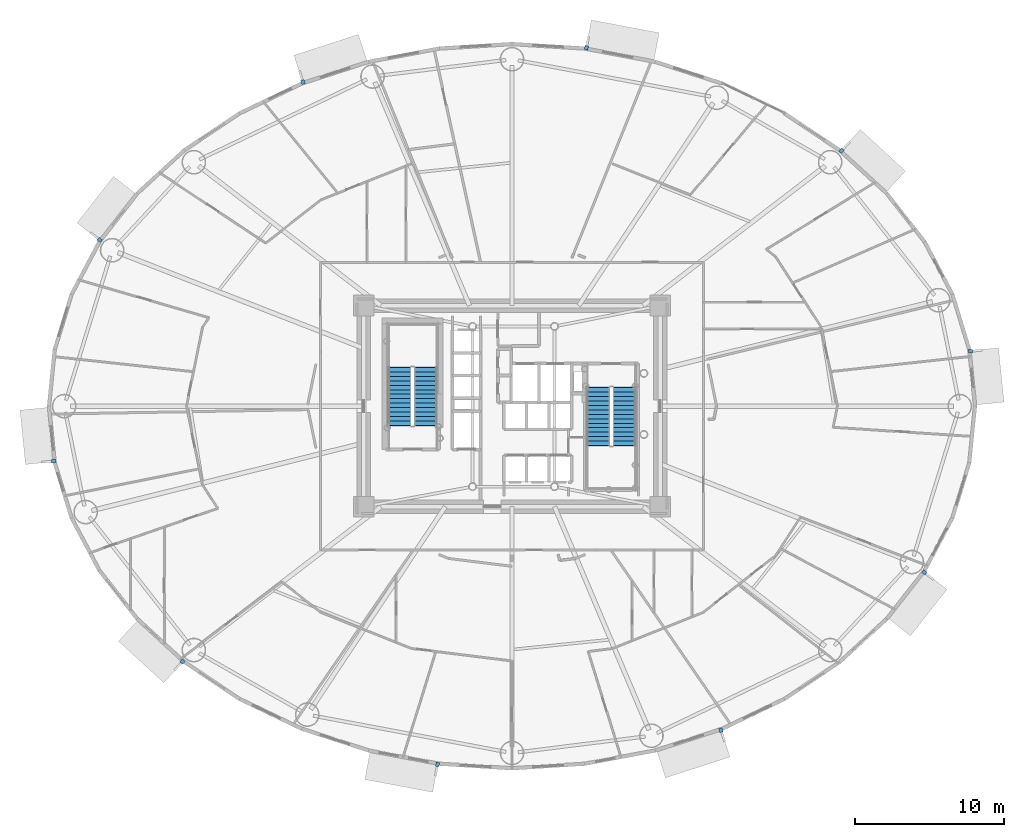
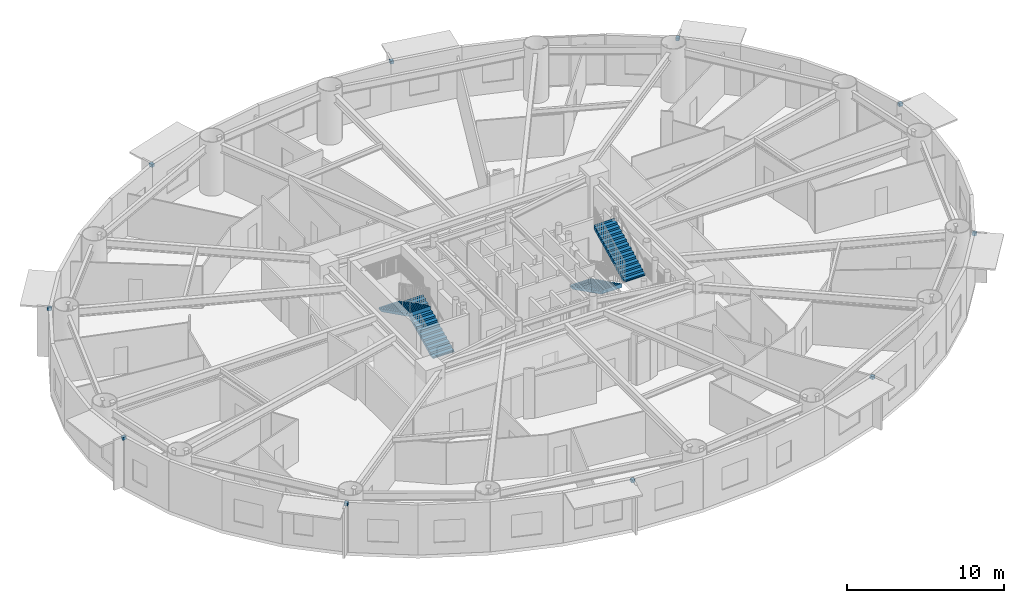
# One storey, part 14 of 21: 10 discrete accessories, 4 stair flights, 2 elements without a shape of their own.
"""IFC4 building model written with IfcOpenShell, lengths in metres."""

from ifc_helpers import new_model, si_unit, direction, frame, origin, origin_2d, place, context, subcontext, project, spatial, polyline, rectangle, outline, extrude, source, transform, mapped, material, type_object, element, aggregate, save


model = new_model("IFC4")

# Units and contexts
model_context = context("Model", 3, precision=1e-05, world=origin(), true_north=direction((0.0, 1.0)))
body_context = subcontext(model_context, "Body", "Model", "MODEL_VIEW")
ifc_project = project(units=[si_unit("LENGTHUNIT", "METRE"), si_unit("AREAUNIT", "SQUARE_METRE"), si_unit("VOLUMEUNIT", "CUBIC_METRE"), si_unit("PLANEANGLEUNIT", "RADIAN"), si_unit("MASSUNIT", "GRAM", prefix="KILO")], contexts=[model_context])

# Site, building, storey
site_placement = place(None, origin())
site = spatial("IfcSite", under=ifc_project, at=site_placement, CompositionType="ELEMENT")
building_placement = place(site_placement, origin())
building = spatial("IfcBuilding", under=site, at=building_placement, Name="Linh Dai School and Residence Tower", CompositionType="ELEMENT")
storey_placement = place(building_placement, frame((0.0, 0.0, 82.800048828125)))
storey = spatial("IfcBuildingStorey", under=building, at=storey_placement, Name="L19", CompositionType="ELEMENT", Elevation=82.800048828125)

# Stair, stair flights
ifc_material_1 = material(Name="Concrete B45 (C35/45)", Category="concrete")
stair_type = type_object("IfcStairType", Name="ST-DOG-1550-R1500", PredefinedType="HALF_TURN_STAIR", material=ifc_material_1)
stair_1_placement = place(storey_placement, origin())
stair_1 = element("IfcStair", 1, at=stair_1_placement, inside=storey, type_object=stair_type, Name="L19 Core Smokeproof Exit Stair ST1", PredefinedType="HALF_TURN_STAIR")
stair_flight_type = type_object("IfcStairFlightType", Name="STF-STR-1550-R1500", PredefinedType="STRAIGHT", material=ifc_material_1)
shared_shape_1 = source(origin(), body_context, "Body", "SweptSolid", [
    extrude(outline(polyline([(-0.02490234375, 0.0), (-0.02490234375, 0.06005859375), (0.0, 0.06005859375), (0.0, 0.14990234375), (0.300048828125, 0.14990234375), (0.300048828125, 0.300048828125), (0.60009765625, 0.300048828125), (0.60009765625, 0.449951171875), (0.89990234375, 0.449951171875), (0.89990234375, 0.60009765625), (1.199951171875, 0.60009765625), (1.199951171875, 0.75), (1.5, 0.75), (1.5, 0.89990234375), (1.800048828125, 0.89990234375), (1.800048828125, 1.050048828125), (2.10009765625, 1.050048828125), (2.10009765625, 1.199951171875), (2.39990234375, 1.199951171875), (2.39990234375, 1.35009765625), (2.699951171875, 1.35009765625), (2.699951171875, 1.5), (3.0, 1.5), (3.0, 1.64990234375), (3.300048828125, 1.64990234375), (3.300048828125, 1.800048828125), (3.60009765625, 1.800048828125), (3.60009765625, 1.949951171875), (3.89990234375, 1.949951171875), (3.89990234375, 2.10009765625), (3.925048828125, 2.10009765625), (3.925048828125, 1.782470703125), (3.89990234375, 1.782470703125), (0.335205078125, 0.0), (-0.02490234375, 0.0)])), frame((0.0, 0.77490234375, 0.0), z_axis=(0.0, -1.0, 0.0), x_axis=(1.0, 0.0, 0.0)), (0.0, 0.0, 1.0), 1.550048828125),
])
stair_flight_1_placement = place(storey_placement, frame((30.205078125, 25.699951171875, 0.0), z_axis=(0.0, 0.0, 1.0), x_axis=(0.0, 1.0, 0.0)))
stair_flight_1 = element("IfcStairFlight", 2, at=stair_flight_1_placement, type_object=stair_flight_type, Name="ST1 flight 1", NumberOfRisers=14, NumberOfTreads=13, PredefinedType="STRAIGHT", RiserHeight=0.15, TreadLength=0.3, context=body_context, shape_type="MappedRepresentation", body=[
    mapped(shared_shape_1, transform((0.0, 0.0, 0.0), x_axis=(1.0, 0.0, 0.0), y_axis=(0.0, 1.0, 0.0), z_axis=(0.0, 0.0, 1.0), scale=1.0)),
])
stair_flight_2_placement = place(storey_placement, frame((28.455078125, 29.60009765625, 2.099853515625), z_axis=(0.0, 0.0, 1.0), x_axis=(0.0, -1.0, 0.0)))
stair_flight_2 = element("IfcStairFlight", 3, at=stair_flight_2_placement, type_object=stair_flight_type, Name="ST1 flight 2", NumberOfRisers=14, NumberOfTreads=13, PredefinedType="STRAIGHT", RiserHeight=0.15, TreadLength=0.3, context=body_context, shape_type="MappedRepresentation", body=[
    mapped(shared_shape_1, transform((0.0, 0.0, 0.0), x_axis=(1.0, 0.0, 0.0), y_axis=(0.0, 1.0, 0.0), z_axis=(0.0, 0.0, 1.0), scale=1.0)),
])
aggregate(stair_1, [stair_flight_1, stair_flight_2])

stair_2_placement = place(storey_placement, origin())
stair_2 = element("IfcStair", 4, at=stair_2_placement, inside=storey, type_object=stair_type, Name="L19 Core Smokeproof Exit Stair ST2", PredefinedType="HALF_TURN_STAIR")
stair_flight_3_placement = place(storey_placement, frame((41.794921875, 28.25, 0.0), z_axis=(0.0, 0.0, 1.0), x_axis=(0.0, -1.0, 0.0)))
stair_flight_3 = element("IfcStairFlight", 5, at=stair_flight_3_placement, type_object=stair_flight_type, Name="ST2 flight 1", NumberOfRisers=14, NumberOfTreads=13, PredefinedType="STRAIGHT", RiserHeight=0.15, TreadLength=0.3, context=body_context, shape_type="MappedRepresentation", body=[
    mapped(shared_shape_1, transform((0.0, 0.0, 0.0), x_axis=(1.0, 0.0, 0.0), y_axis=(0.0, 1.0, 0.0), z_axis=(0.0, 0.0, 1.0), scale=1.0)),
])
stair_flight_4_placement = place(storey_placement, frame((43.544921875, 24.35009765625, 2.099853515625), z_axis=(0.0, 0.0, 1.0), x_axis=(0.0, 1.0, 0.0)))
stair_flight_4 = element("IfcStairFlight", 6, at=stair_flight_4_placement, type_object=stair_flight_type, Name="ST2 flight 2", NumberOfRisers=14, NumberOfTreads=13, PredefinedType="STRAIGHT", RiserHeight=0.15, TreadLength=0.3, context=body_context, shape_type="MappedRepresentation", body=[
    mapped(shared_shape_1, transform((0.0, 0.0, 0.0), x_axis=(1.0, 0.0, 0.0), y_axis=(0.0, 1.0, 0.0), z_axis=(0.0, 0.0, 1.0), scale=1.0)),
])
aggregate(stair_2, [stair_flight_3, stair_flight_4])

# Discrete accessories
ifc_material_2 = material(Name="Structural Steel S355JR", Category="steel")
discrete_accessory_type = type_object("IfcDiscreteAccessoryType", Name="ACC-BRK-S355", PredefinedType="BRACKET", material=ifc_material_2)
shared_shape_2 = source(origin(), body_context, "Body", "SweptSolid", [
    extrude(rectangle(XDim=0.280029296875, YDim=0.239990234375, at=origin_2d()), origin(), (0.0, 0.0, 1.0), 0.219970703125),
])
for number, where, z_axis, x_axis, name in (
    (7, (66.76513671875, 30.68359375, 3.64990234375), (0.0, 0.0, 1.0), (0.994986493533, 0.100009387998, 0.0), "L19 Facade Frame Anchor Bracket 01"),
    (8, (58.11376953125, 44.139404296875, 3.64990234375), (0.0, 0.0, 1.0), (0.675769237268, 0.737113246362, 0.0), "L19 Facade Frame Anchor Bracket 05"),
    (9, (40.994384765625, 51.0419921875, 3.64990234375), (0.0, 0.0, 1.0), (0.184747948944, 0.982785935675, 0.0), "L19 Facade Frame Anchor Bracket 09"),
    (10, (21.9775390625, 48.745361328125, 3.64990234375), (0.0, 0.0, 1.0), (-0.308510993844, 0.951220777043, 0.0), "L19 Facade Frame Anchor Bracket 13"),
    (11, (8.33203125, 38.154296875, 3.64990234375), (0.0, 0.0, 1.0), (-0.787496262172, 0.616319427785, 0.0), "L19 Facade Frame Anchor Bracket 17"),
    (12, (5.23486328125, 23.31640625, 3.64990234375), (0.0, 0.0, 1.0), (-0.994986493533, -0.100009387998, 0.0), "L19 Facade Frame Anchor Bracket 21"),
    (13, (13.88623046875, 9.860595703125, 3.64990234375), (0.0, 0.0, 1.0), (-0.675769237268, -0.737113246362, 0.0), "L19 Facade Frame Anchor Bracket 25"),
    (14, (31.005615234375, 2.9580078125, 3.64990234375), (0.0, 0.0, 1.0), (-0.184747948944, -0.982785935675, 0.0), "L19 Facade Frame Anchor Bracket 29"),
    (15, (50.0224609375, 5.254638671875, 3.64990234375), (0.0, 0.0, 1.0), (0.308510993844, -0.951220777043, 0.0), "L19 Facade Frame Anchor Bracket 33"),
    (16, (63.66796875, 15.845703125, 3.64990234375), (0.0, 0.0, 1.0), (0.787496262172, -0.616319427785, 0.0), "L19 Facade Frame Anchor Bracket 37"),
):
    element("IfcDiscreteAccessory", number, at=place(storey_placement, frame(where, z_axis=z_axis, x_axis=x_axis)), inside=storey, type_object=discrete_accessory_type, Name=name, PredefinedType="BRACKET", context=body_context, shape_type="MappedRepresentation", body=[
        mapped(shared_shape_2, transform((0.0, 0.0, 0.0), x_axis=(1.0, 0.0, 0.0), y_axis=(0.0, 1.0, 0.0), z_axis=(0.0, 0.0, 1.0), scale=1.0)),
    ])

save(model, "model.ifc")
